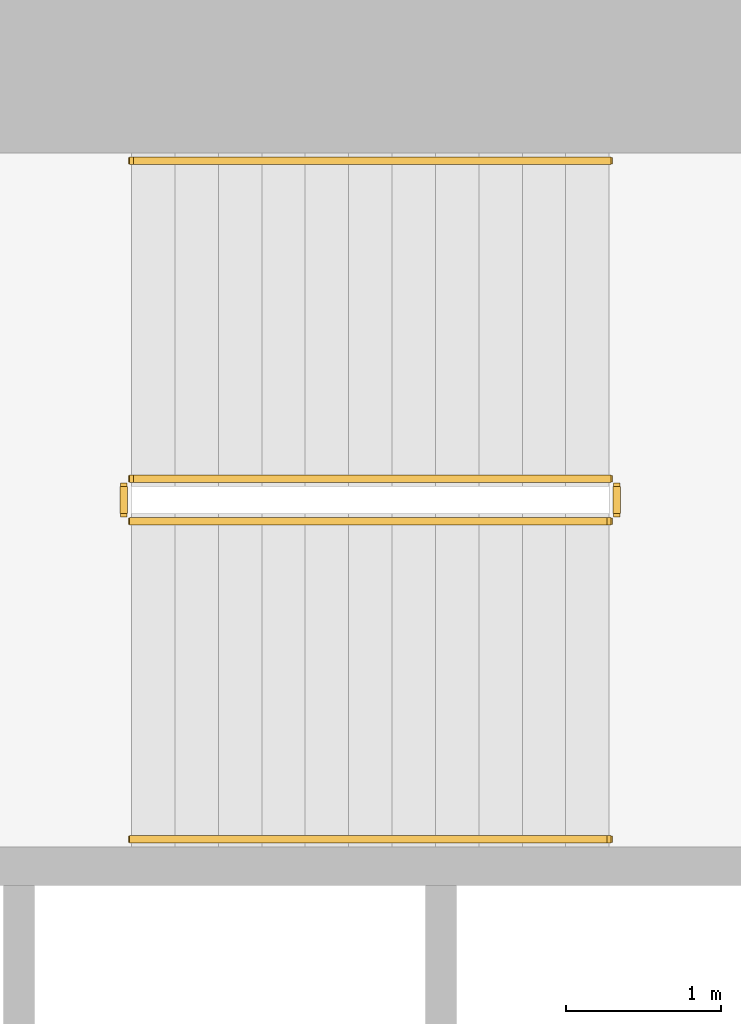
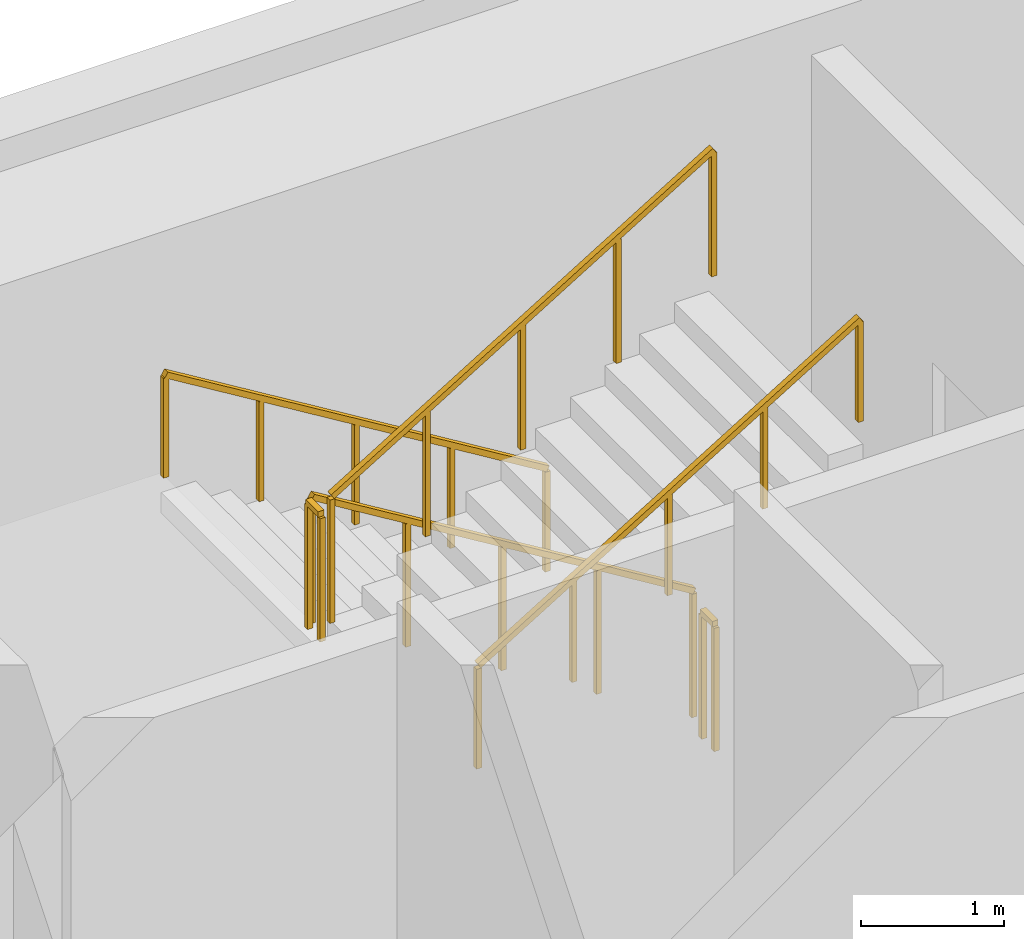
# One storey, part 12 of 14: 6 railings.
"""IFC4 building model written with IfcOpenShell, lengths in metres."""

from ifc_helpers import new_model, si_unit, direction, frame, origin, origin_2d, place, context, subcontext, project, spatial, rectangle, extrude, material, type_object, element, save


model = new_model("IFC4")

# Units and contexts
model_context = context("Model", 3, precision=1e-05, world=origin(), true_north=direction((0.0, 1.0)))
body_context = subcontext(model_context, "Body", "Model", "MODEL_VIEW")
ifc_project = project(units=[si_unit("LENGTHUNIT", "METRE"), si_unit("AREAUNIT", "SQUARE_METRE"), si_unit("VOLUMEUNIT", "CUBIC_METRE"), si_unit("PLANEANGLEUNIT", "RADIAN"), si_unit("MASSUNIT", "GRAM", prefix="KILO")], contexts=[model_context])

# Site, building, storey
site_placement = place(None, origin())
site = spatial("IfcSite", under=ifc_project, at=site_placement, CompositionType="ELEMENT")
building_placement = place(site_placement, origin())
building = spatial("IfcBuilding", under=site, at=building_placement, Name="Cypress Arch Tower", CompositionType="ELEMENT")
storey_placement = place(building_placement, frame((0.0, 0.0, 185.10009765625)))
storey = spatial("IfcBuildingStorey", under=building, at=storey_placement, Name="L40", CompositionType="ELEMENT", Elevation=185.10009765625)

# Railings
ifc_material_1 = material(Name="Black powder-coated steel square bar 48 mm", Category="steel")
railing_type_1 = type_object("IfcRailingType", Name="Stair handrail HR1", PredefinedType="HANDRAIL", material=ifc_material_1)
railing_1_placement = place(storey_placement, frame((-22.27490234375, 14.75, 0.170654296875)))
element("IfcRailing", 1, at=railing_1_placement, inside=storey, type_object=railing_type_1, Name="L40 B stair handrail 1", PredefinedType="HANDRAIL", context=body_context, shape_type="SweptSolid", body=[
    extrude(rectangle(XDim=0.048095703125, YDim=0.048095703125, at=origin_2d()), frame((0.0, 0.0, 0.8759765625), z_axis=(-0.853666305674, 0.0, 0.52082035152), x_axis=(0.0, -1.0, 0.0)), (0.0, 0.0, 1.0), 3.608154296875),
    extrude(rectangle(XDim=0.0419921875, YDim=0.0419921875, at=origin_2d()), origin(), (0.0, 0.0, 1.0), 0.851806640625),
    extrude(rectangle(XDim=0.0419921875, YDim=0.0419921875, at=origin_2d()), frame((-0.77001953125, 0.0, 0.4697265625)), (0.0, 0.0, 1.0), 0.851806640625),
    extrude(rectangle(XDim=0.0419921875, YDim=0.0419921875, at=origin_2d()), frame((-1.5400390625, 0.0, 0.939453125)), (0.0, 0.0, 1.0), 0.851806640625),
    extrude(rectangle(XDim=0.0419921875, YDim=0.0419921875, at=origin_2d()), frame((-2.31005859375, 0.0, 1.409423828125)), (0.0, 0.0, 1.0), 0.851806640625),
    extrude(rectangle(XDim=0.0419921875, YDim=0.0419921875, at=origin_2d()), frame((-3.080078125, 0.0, 1.879150390625)), (0.0, 0.0, 1.0), 0.851806640625),
])
railing_2_placement = place(storey_placement, frame((-25.35498046875, 10.375, 2.220703125)))
element("IfcRailing", 2, at=railing_2_placement, inside=storey, type_object=railing_type_1, Name="L40 B stair handrail 2", PredefinedType="HANDRAIL", context=body_context, shape_type="SweptSolid", body=[
    extrude(rectangle(XDim=0.048095703125, YDim=0.048095703125, at=origin_2d()), frame((0.0, 0.0, 0.8759765625), z_axis=(0.853666305674, 0.0, 0.52082035152), x_axis=(0.0, 1.0, 0.0)), (0.0, 0.0, 1.0), 3.608154296875),
    extrude(rectangle(XDim=0.0419921875, YDim=0.0419921875, at=origin_2d()), origin(), (0.0, 0.0, 1.0), 0.851806640625),
    extrude(rectangle(XDim=0.0419921875, YDim=0.0419921875, at=origin_2d()), frame((0.77001953125, 0.0, 0.4697265625)), (0.0, 0.0, 1.0), 0.851806640625),
    extrude(rectangle(XDim=0.0419921875, YDim=0.0419921875, at=origin_2d()), frame((1.5400390625, 0.0, 0.939453125)), (0.0, 0.0, 1.0), 0.851806640625),
    extrude(rectangle(XDim=0.0419921875, YDim=0.0419921875, at=origin_2d()), frame((2.31005859375, 0.0, 1.409423828125)), (0.0, 0.0, 1.0), 0.851806640625),
    extrude(rectangle(XDim=0.0419921875, YDim=0.0419921875, at=origin_2d()), frame((3.080078125, 0.0, 1.879150390625)), (0.0, 0.0, 1.0), 0.851806640625),
])
ifc_material_2 = material(Name="Black powder-coated steel balusters", Category="steel")
railing_type_2 = type_object("IfcRailingType", Name="Stair well guard G1", PredefinedType="GUARDRAIL", material=ifc_material_2)
railing_3_placement = place(storey_placement, frame((-22.27490234375, 12.699951171875, 0.170654296875)))
element("IfcRailing", 3, at=railing_3_placement, inside=storey, type_object=railing_type_2, Name="L40 B stair guard 1", PredefinedType="GUARDRAIL", context=body_context, shape_type="SweptSolid", body=[
    extrude(rectangle(XDim=0.048095703125, YDim=0.048095703125, at=origin_2d()), frame((0.0, 0.0, 1.076171875), z_axis=(-0.853666305674, 0.0, 0.52082035152), x_axis=(0.0, -1.0, 0.0)), (0.0, 0.0, 1.0), 3.608154296875),
    extrude(rectangle(XDim=0.0419921875, YDim=0.0419921875, at=origin_2d()), origin(), (0.0, 0.0, 1.0), 1.052001953125),
    extrude(rectangle(XDim=0.0419921875, YDim=0.0419921875, at=origin_2d()), frame((-0.77001953125, 0.0, 0.4697265625)), (0.0, 0.0, 1.0), 1.052001953125),
    extrude(rectangle(XDim=0.0419921875, YDim=0.0419921875, at=origin_2d()), frame((-1.5400390625, 0.0, 0.939453125)), (0.0, 0.0, 1.0), 1.052001953125),
    extrude(rectangle(XDim=0.0419921875, YDim=0.0419921875, at=origin_2d()), frame((-2.31005859375, 0.0, 1.409423828125)), (0.0, 0.0, 1.0), 1.052001953125),
    extrude(rectangle(XDim=0.0419921875, YDim=0.0419921875, at=origin_2d()), frame((-3.080078125, 0.0, 1.879150390625)), (0.0, 0.0, 1.0), 1.052001953125),
])
railing_4_placement = place(storey_placement, frame((-25.405029296875, 12.64990234375, 2.0498046875)))
element("IfcRailing", 4, at=railing_4_placement, inside=storey, type_object=railing_type_2, Name="L40 B stair guard 2", PredefinedType="GUARDRAIL", context=body_context, shape_type="SweptSolid", body=[
    extrude(rectangle(XDim=0.048095703125, YDim=0.048095703125, at=origin_2d()), frame((0.0, 0.0, 1.076171875), z_axis=(0.0, -1.0, 0.0), x_axis=(1.0, 0.0, 0.0)), (0.0, 0.0, 1.0), 0.1748046875),
    extrude(rectangle(XDim=0.0419921875, YDim=0.0419921875, at=origin_2d()), origin(), (0.0, 0.0, 1.0), 1.052001953125),
    extrude(rectangle(XDim=0.0419921875, YDim=0.0419921875, at=origin_2d()), frame((0.0, -0.1748046875, 0.0)), (0.0, 0.0, 1.0), 1.052001953125),
])
railing_5_placement = place(storey_placement, frame((-25.35498046875, 12.425048828125, 2.220703125)))
element("IfcRailing", 5, at=railing_5_placement, inside=storey, type_object=railing_type_2, Name="L40 B stair guard 3", PredefinedType="GUARDRAIL", context=body_context, shape_type="SweptSolid", body=[
    extrude(rectangle(XDim=0.048095703125, YDim=0.048095703125, at=origin_2d()), frame((0.0, 0.0, 1.076171875), z_axis=(0.853666305674, 0.0, 0.52082035152), x_axis=(0.0, 1.0, 0.0)), (0.0, 0.0, 1.0), 3.608154296875),
    extrude(rectangle(XDim=0.0419921875, YDim=0.0419921875, at=origin_2d()), origin(), (0.0, 0.0, 1.0), 1.052001953125),
    extrude(rectangle(XDim=0.0419921875, YDim=0.0419921875, at=origin_2d()), frame((0.77001953125, 0.0, 0.4697265625)), (0.0, 0.0, 1.0), 1.052001953125),
    extrude(rectangle(XDim=0.0419921875, YDim=0.0419921875, at=origin_2d()), frame((1.5400390625, 0.0, 0.939453125)), (0.0, 0.0, 1.0), 1.052001953125),
    extrude(rectangle(XDim=0.0419921875, YDim=0.0419921875, at=origin_2d()), frame((2.31005859375, 0.0, 1.409423828125)), (0.0, 0.0, 1.0), 1.052001953125),
    extrude(rectangle(XDim=0.0419921875, YDim=0.0419921875, at=origin_2d()), frame((3.080078125, 0.0, 1.879150390625)), (0.0, 0.0, 1.0), 1.052001953125),
])
railing_6_placement = place(storey_placement, frame((-22.22509765625, 12.64990234375, 0.0)))
element("IfcRailing", 6, at=railing_6_placement, inside=storey, type_object=railing_type_2, Name="L40 B stair guard 4", PredefinedType="GUARDRAIL", context=body_context, shape_type="SweptSolid", body=[
    extrude(rectangle(XDim=0.048095703125, YDim=0.048095703125, at=origin_2d()), frame((0.0, 0.0, 1.076171875), z_axis=(0.0, -1.0, 0.0), x_axis=(1.0, 0.0, 0.0)), (0.0, 0.0, 1.0), 0.1748046875),
    extrude(rectangle(XDim=0.0419921875, YDim=0.0419921875, at=origin_2d()), origin(), (0.0, 0.0, 1.0), 1.052001953125),
    extrude(rectangle(XDim=0.0419921875, YDim=0.0419921875, at=origin_2d()), frame((0.0, -0.1748046875, 0.0)), (0.0, 0.0, 1.0), 1.052001953125),
])

save(model, "model.ifc")
